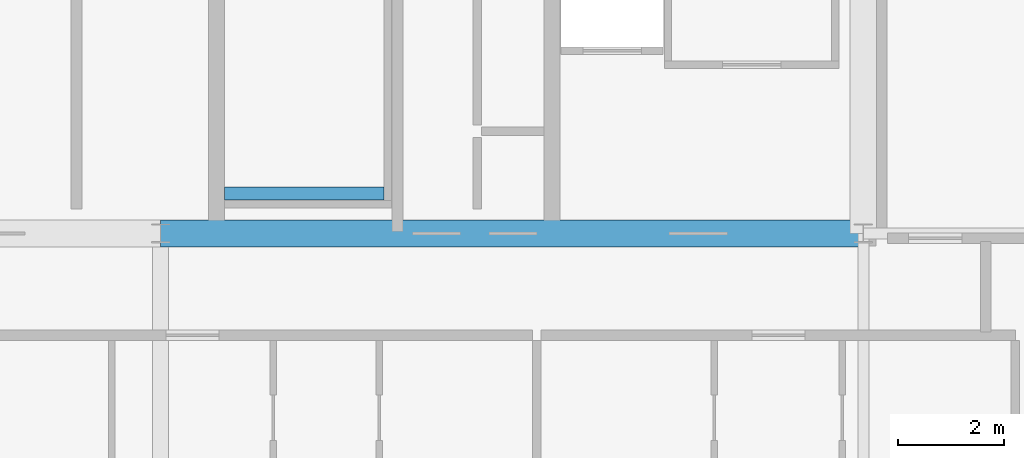
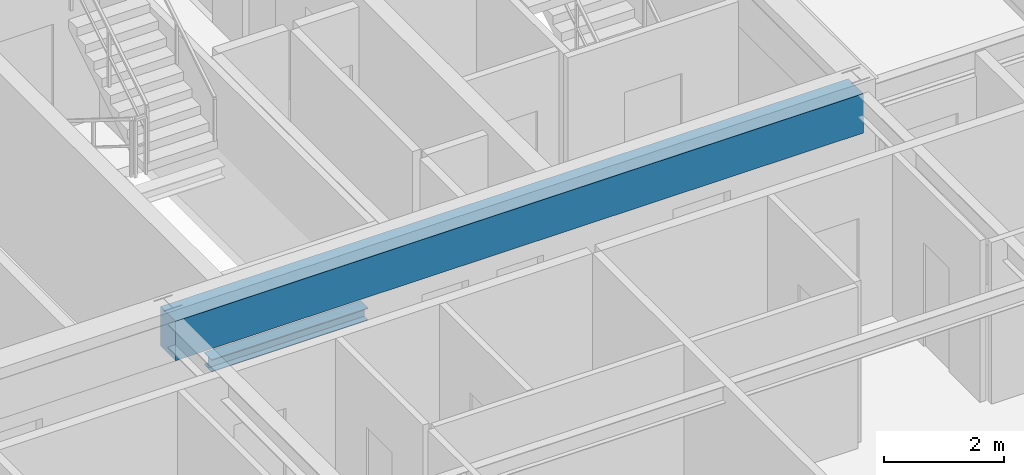
# One storey, part 10 of 35: 2 beams.
"""IFC4 building model written with IfcOpenShell, lengths in metres."""

from ifc_helpers import new_model, si_unit, direction, frame, origin, origin_2d, place, context, subcontext, project, spatial, rectangle, i_section, extrude, source, transform, mapped, material, material_profile, profile_set, type_object, element, save


model = new_model("IFC4")

# Units and contexts
model_context = context("Model", 3, precision=1e-05, world=origin(), true_north=direction((0.0, 1.0)))
body_context = subcontext(model_context, "Body", "Model", "MODEL_VIEW")
ifc_project = project(units=[si_unit("LENGTHUNIT", "METRE"), si_unit("AREAUNIT", "SQUARE_METRE"), si_unit("VOLUMEUNIT", "CUBIC_METRE"), si_unit("PLANEANGLEUNIT", "RADIAN"), si_unit("MASSUNIT", "GRAM", prefix="KILO"), si_unit("THERMODYNAMICTEMPERATUREUNIT", "KELVIN"), si_unit("POWERUNIT", "WATT")], contexts=[model_context])

# Site, building, storey
site_placement = place(None, origin())
site = spatial("IfcSite", under=ifc_project, at=site_placement, CompositionType="ELEMENT")
building_placement = place(site_placement, origin())
building = spatial("IfcBuilding", under=site, at=building_placement, Name="Yuzanri Waterfront Tower", CompositionType="ELEMENT")
storey_placement = place(building_placement, frame((0.0, 0.0, 332.199951171875)))
storey = spatial("IfcBuildingStorey", under=building, at=storey_placement, Name="L89", CompositionType="ELEMENT", Elevation=332.199951171875)

# Beams
ifc_material_1 = material(Name="Concrete C50", Category="concrete")
ifc_material_profile_1 = material_profile(ifc_material_1, rectangle(XDim=0.5, YDim=0.800048828125, at=origin_2d()), Name="RC 500x800")
ifc_profile_set_1 = profile_set([ifc_material_profile_1], Name="Concrete C50")
beam_type_1 = type_object("IfcBeamType", Name="Core Coupling Lintel Concrete C50 500x800", PredefinedType="LINTEL", material=ifc_profile_set_1)
shared_shape_1 = source(origin(), body_context, "Body", "SweptSolid", [
    extrude(rectangle(XDim=0.5, YDim=0.800048828125, at=origin_2d()), origin(), (0.0, 0.0, 1.0), 13.199951171875),
])
beam_1_placement = place(storey_placement, frame((37.0, 19.39990234375, 2.880126953125), z_axis=(1.0, 0.0, 0.0), x_axis=(0.0, 1.0, 0.0)))
element("IfcBeam", 1, at=beam_1_placement, inside=storey, type_object=beam_type_1, Name="L89 Core Tie Beam CS2", PredefinedType="LINTEL", context=body_context, shape_type="MappedRepresentation", body=[
    mapped(shared_shape_1, transform((0.0, 0.0, 0.0), scale=1.0)),
])
ifc_material_2 = material(Name="Steel Q355B", Category="steel")
ifc_material_profile_2 = material_profile(ifc_material_2, i_section(OverallWidth=0.25, OverallDepth=0.25, WebThickness=0.009033203125, FlangeThickness=0.013916015625, at=origin_2d()), Name="HW 250x250x9x14")
ifc_profile_set_2 = profile_set([ifc_material_profile_2], Name="Steel Q355B")
beam_type_2 = type_object("IfcBeamType", Name="Stair Landing Support Beam Q355B HW 250x250", PredefinedType="BEAM", material=ifc_profile_set_2)
shared_shape_2 = source(origin(), body_context, "Body", "SweptSolid", [
    extrude(i_section(OverallWidth=0.25, OverallDepth=0.25, WebThickness=0.009033203125, FlangeThickness=0.013916015625, at=origin_2d()), origin(), (0.0, 0.0, 1.0), 3.0),
])
beam_2_placement = place(storey_placement, frame((38.199951171875, 20.14990234375, 1.425048828125), z_axis=(1.0, 0.0, 0.0), x_axis=(0.0, 1.0, 0.0)))
element("IfcBeam", 2, at=beam_2_placement, inside=storey, type_object=beam_type_2, Name="L89 Stair Landing Support Beam ST-03-L89-L1-1", PredefinedType="BEAM", context=body_context, shape_type="MappedRepresentation", body=[
    mapped(shared_shape_2, transform((0.0, 0.0, 0.0), scale=1.0)),
])

save(model, "model.ifc")
